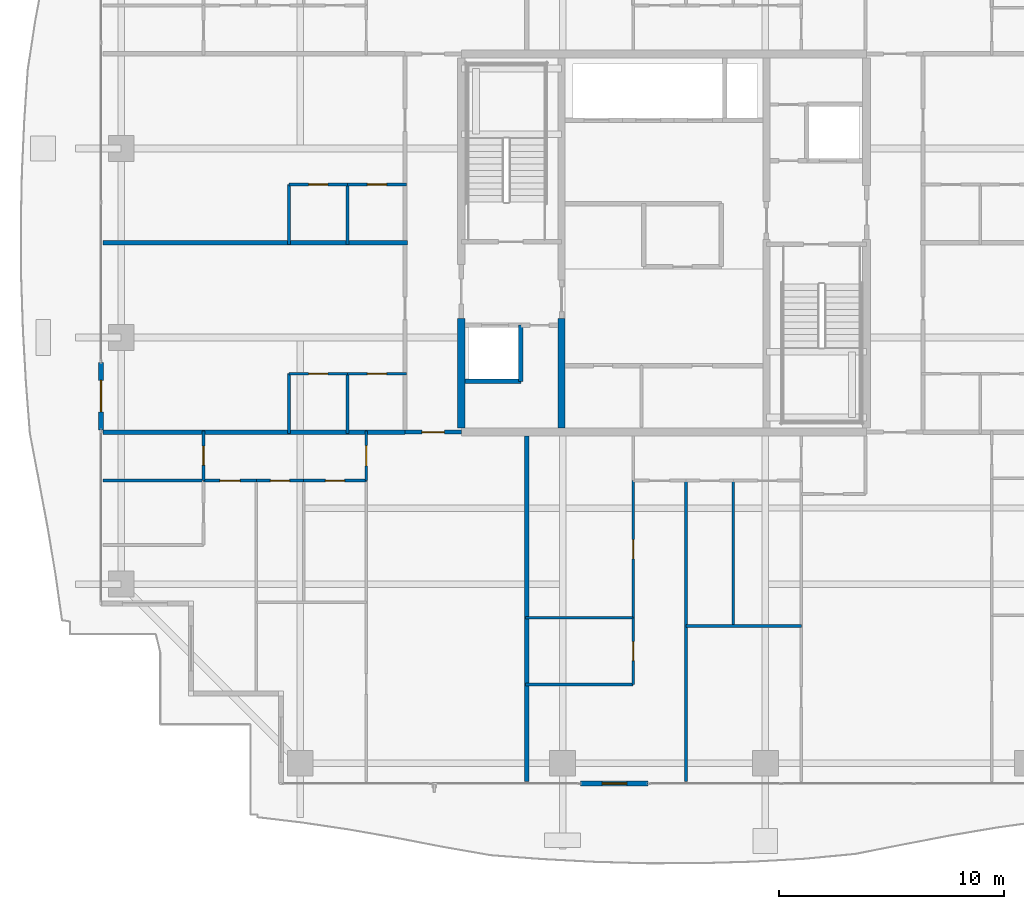
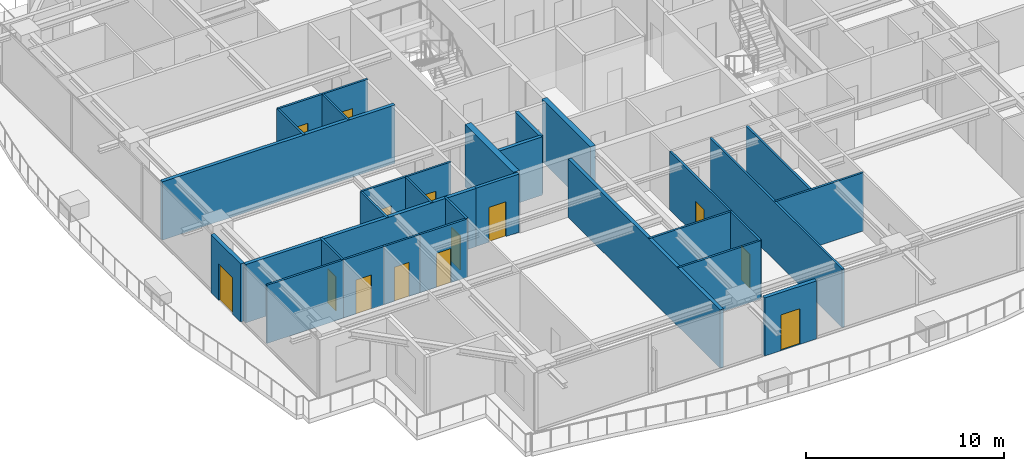
# One storey, part 24 of 38: 31 walls, 14 doors, 14 openings.
"""IFC4 building model written with IfcOpenShell, lengths in metres."""

from ifc_helpers import new_model, si_unit, direction, frame, frame_2d, origin, place, context, subcontext, project, spatial, rectangle, extrude, source, transform, mapped, material, layer, layer_set, type_object, element, fill, save


model = new_model("IFC4")

# Units and contexts
model_context = context("Model", 3, precision=1e-05, world=origin(), true_north=direction((0.0, 1.0)))
body_context = subcontext(model_context, "Body", "Model", "MODEL_VIEW")
ifc_project = project(units=[si_unit("LENGTHUNIT", "METRE"), si_unit("AREAUNIT", "SQUARE_METRE"), si_unit("VOLUMEUNIT", "CUBIC_METRE"), si_unit("PLANEANGLEUNIT", "RADIAN"), si_unit("MASSUNIT", "GRAM", prefix="KILO")], contexts=[model_context])

# Site, building, storey
site_placement = place(None, origin())
site = spatial("IfcSite", under=ifc_project, at=site_placement, CompositionType="ELEMENT")
building_placement = place(site_placement, origin())
building = spatial("IfcBuilding", under=site, at=building_placement, Name="Serunith Strait Residences", CompositionType="ELEMENT")
storey_placement = place(building_placement, frame((0.0, 0.0, 241.25)))
storey = spatial("IfcBuildingStorey", under=building, at=storey_placement, Name="L60", CompositionType="ELEMENT", Elevation=241.25)

# Wall, opening, door
ifc_material_1 = material(Name="Pale-Champagne Aluminium Insulated Panel", Category="aluminium")
ifc_layer_1 = layer(ifc_material_1, 0.219970703125, Name="Pale-Champagne Aluminium Insulated Panel")
ifc_layer_set_1 = layer_set([ifc_layer_1], Name="Pale-Champagne Aluminium Insulated Panel")
wall_type_1 = type_object("IfcWallType", Name="EW-ALUM-220", PredefinedType="ELEMENTEDWALL", material=ifc_layer_set_1)
wall_1_placement = place(storey_placement, frame((28.699951171875, 1.199951171875, 0.0), z_axis=(0.0, 0.0, 1.0), x_axis=(1.0, 0.0, 0.0)))
wall_1 = element("IfcWall", 1, at=wall_1_placement, inside=storey, type_object=wall_type_1, Name="L60 S Facade Pier Wall", PredefinedType="ELEMENTEDWALL", context=body_context, shape_type="SweptSolid", body=[
    extrude(rectangle(XDim=3.0, YDim=0.219970703125, at=frame_2d((1.5, 0.0))), origin(), (0.0, 0.0, 1.0), 3.574951171875),
])
opening_1_placement = place(wall_1_placement, frame((0.949951171875, 0.0, 0.0)))
opening_1 = element("IfcOpeningElement", 2, at=opening_1_placement, cuts=wall_1, Name="Opening ED-03", PredefinedType="OPENING", context=body_context, shape_type="SweptSolid", body=[
    extrude(rectangle(XDim=1.10009765625, YDim=2.199951171875, at=frame_2d((0.550048828125, 1.10009765625))), frame((0.0, 0.1201171875, 0.0), z_axis=(0.0, -1.0, 0.0), x_axis=(1.0, 0.0, 0.0)), (0.0, 0.0, 1.0), 0.239990234375),
])
ifc_material_2 = material(Name="Thermally-Broken Aluminium Glazed Balcony Door", Category="aluminium")
door_type_1 = type_object("IfcDoorType", Name="ED-BALC-1100", OperationType="NOTDEFINED", PredefinedType="DOOR", material=ifc_material_2)
shared_shape_1 = source(origin(), body_context, "Body", "SweptSolid", [
    extrude(rectangle(XDim=1.10009765625, YDim=2.199951171875, at=frame_2d((0.550048828125, 1.10009765625))), frame((0.0, 0.02490234375, 0.0), z_axis=(0.0, -1.0, 0.0), x_axis=(1.0, 0.0, 0.0)), (0.0, 0.0, 1.0), 0.050048828125),
])
door_1_placement = place(opening_1_placement, origin())
door_1 = element("IfcDoor", 3, at=door_1_placement, inside=storey, type_object=door_type_1, Name="L60 S Vertical-Forest Balcony Door", OperationType="SINGLE_SWING_LEFT", OverallHeight=2.199951171875, OverallWidth=1.10009765625, PredefinedType="DOOR", context=body_context, shape_type="MappedRepresentation", body=[
    mapped(shared_shape_1, transform((0.0, 0.0, 0.0), scale=1.0)),
])
fill(opening_1, door_1)

wall_2_placement = place(storey_placement, frame((7.39990234375, 19.89990234375, 0.0), z_axis=(0.0, 0.0, 1.0), x_axis=(0.0, -1.0, 0.0)))
wall_2 = element("IfcWall", 4, at=wall_2_placement, inside=storey, type_object=wall_type_1, Name="L60 W Facade Pier Wall", PredefinedType="ELEMENTEDWALL", context=body_context, shape_type="SweptSolid", body=[
    extrude(rectangle(XDim=3.0, YDim=0.219970703125, at=frame_2d((1.5, 0.0))), origin(), (0.0, 0.0, 1.0), 3.574951171875),
])
opening_2_placement = place(wall_2_placement, frame((0.800048828125, 0.0, 0.0)))
opening_2 = element("IfcOpeningElement", 5, at=opening_2_placement, cuts=wall_2, Name="Opening ED-04", PredefinedType="OPENING", context=body_context, shape_type="SweptSolid", body=[
    extrude(rectangle(XDim=1.39990234375, YDim=2.25, at=frame_2d((0.699951171875, 1.125))), frame((0.0, 0.1201171875, 0.0), z_axis=(0.0, -1.0, 0.0), x_axis=(1.0, 0.0, 0.0)), (0.0, 0.0, 1.0), 0.239990234375),
])
ifc_material_3 = material(Name="Thermally-Broken Aluminium Sliding Balcony Door", Category="aluminium")
door_type_2 = type_object("IfcDoorType", Name="ED-BALC-1400", OperationType="NOTDEFINED", PredefinedType="DOOR", material=ifc_material_3)
shared_shape_2 = source(origin(), body_context, "Body", "SweptSolid", [
    extrude(rectangle(XDim=1.39990234375, YDim=2.25, at=frame_2d((0.699951171875, 1.125))), frame((0.0, 0.02490234375, 0.0), z_axis=(0.0, -1.0, 0.0), x_axis=(1.0, 0.0, 0.0)), (0.0, 0.0, 1.0), 0.050048828125),
])
door_2_placement = place(opening_2_placement, origin())
door_2 = element("IfcDoor", 6, at=door_2_placement, inside=storey, type_object=door_type_2, Name="L60 W Vertical-Forest Balcony Door", OperationType="SLIDING_TO_LEFT", OverallHeight=2.25, OverallWidth=1.39990234375, PredefinedType="DOOR", context=body_context, shape_type="MappedRepresentation", body=[
    mapped(shared_shape_2, transform((0.0, 0.0, 0.0), scale=1.0)),
])
fill(opening_2, door_2)

ifc_material_4 = material(Name="Fire-rated acoustic gypsum partition")
ifc_layer_2 = layer(ifc_material_4, 0.179931640625, Name="Fire-rated acoustic gypsum partition")
ifc_layer_set_2 = layer_set([ifc_layer_2], Name="Fire-rated acoustic gypsum partition")
wall_type_2 = type_object("IfcWallType", Name="IW-CORR-180", PredefinedType="PARTITIONING", material=ifc_layer_set_2)
wall_3_placement = place(storey_placement, frame((20.902099609375, 16.800048828125, 0.0), z_axis=(0.0, 0.0, 1.0), x_axis=(1.0, 0.0, 0.0)))
wall_3 = element("IfcWall", 7, at=wall_3_placement, inside=storey, type_object=wall_type_2, Name="L60 Partition Wall 027", PredefinedType="PARTITIONING", context=body_context, shape_type="SweptSolid", body=[
    extrude(rectangle(XDim=2.495849609375, YDim=0.179931640625, at=frame_2d((1.248046875, 0.0))), origin(), (0.0, 0.0, 1.0), 3.590087890625),
])
opening_3_placement = place(wall_3_placement, frame((0.748046875, 0.0, 0.0)))
opening_3 = element("IfcOpeningElement", 8, at=opening_3_placement, cuts=wall_3, Name="Opening D-APT1000", PredefinedType="OPENING", context=body_context, shape_type="SweptSolid", body=[
    extrude(rectangle(XDim=1.0, YDim=2.14990234375, at=frame_2d((0.5, 1.074951171875))), frame((0.0, 0.10009765625, 0.0), z_axis=(0.0, -1.0, 0.0), x_axis=(1.0, 0.0, 0.0)), (0.0, 0.0, 1.0), 0.199951171875),
])
ifc_material_5 = material(Name="Solid timber engineered fire door", Category="wood")
door_type_3 = type_object("IfcDoorType", Name="ID-APT-1000", OperationType="NOTDEFINED", PredefinedType="DOOR", material=ifc_material_5)
shared_shape_3 = source(origin(), body_context, "Body", "SweptSolid", [
    extrude(rectangle(XDim=1.0, YDim=2.14990234375, at=frame_2d((0.5, 1.074951171875))), frame((0.0, 0.02490234375, 0.0), z_axis=(0.0, -1.0, 0.0), x_axis=(1.0, 0.0, 0.0)), (0.0, 0.0, 1.0), 0.050048828125),
])
door_3_placement = place(opening_3_placement, origin())
door_3 = element("IfcDoor", 9, at=door_3_placement, inside=storey, type_object=door_type_3, Name="L60 Unit 01 Entrance Door", OperationType="SINGLE_SWING_LEFT", OverallHeight=2.14990234375, OverallWidth=1.0, PredefinedType="DOOR", context=body_context, shape_type="MappedRepresentation", body=[
    mapped(shared_shape_3, transform((0.0, 0.0, 0.0), scale=1.0)),
])
fill(opening_3, door_3)

ifc_material_6 = material(Name="Lightweight steel-stud gypsum partition", Category="steel")
ifc_layer_3 = layer(ifc_material_6, 0.1201171875, Name="Lightweight steel-stud gypsum partition")
ifc_layer_set_3 = layer_set([ifc_layer_3], Name="Lightweight steel-stud gypsum partition")
wall_type_3 = type_object("IfcWallType", Name="IW-PART-120", PredefinedType="PARTITIONING", material=ifc_layer_set_3)
wall_4_placement = place(storey_placement, frame((19.179931640625, 14.64990234375, 0.0), z_axis=(0.0, 0.0, 1.0), x_axis=(0.0, 1.0, 0.0)))
wall_4 = element("IfcWall", 10, at=wall_4_placement, inside=storey, type_object=wall_type_3, Name="L60 Partition Wall 033", PredefinedType="PARTITIONING", context=body_context, shape_type="SweptSolid", body=[
    extrude(rectangle(XDim=2.210205078125, YDim=0.1201171875, at=frame_2d((1.10498046875, 0.0))), origin(), (0.0, 0.0, 1.0), 3.590087890625),
])
opening_4_placement = place(wall_4_placement, frame((0.655029296875, 0.0, 0.0)))
opening_4 = element("IfcOpeningElement", 11, at=opening_4_placement, cuts=wall_4, Name="Opening D-RM900", PredefinedType="OPENING", context=body_context, shape_type="SweptSolid", body=[
    extrude(rectangle(XDim=0.89990234375, YDim=2.10009765625, at=frame_2d((0.449951171875, 1.050048828125))), frame((0.0, 0.070068359375, 0.0), z_axis=(0.0, -1.0, 0.0), x_axis=(1.0, 0.0, 0.0)), (0.0, 0.0, 1.0), 0.14013671875),
])
ifc_material_7 = material(Name="Engineered timber flush bedroom door", Category="wood")
door_type_4 = type_object("IfcDoorType", Name="ID-ROOM-900", OperationType="NOTDEFINED", PredefinedType="DOOR", material=ifc_material_7)
shared_shape_4 = source(origin(), body_context, "Body", "SweptSolid", [
    extrude(rectangle(XDim=0.89990234375, YDim=2.10009765625, at=frame_2d((0.449951171875, 1.050048828125))), frame((0.0, 0.02490234375, 0.0), z_axis=(0.0, -1.0, 0.0), x_axis=(1.0, 0.0, 0.0)), (0.0, 0.0, 1.0), 0.050048828125),
])
door_4_placement = place(opening_4_placement, origin())
door_4 = element("IfcDoor", 12, at=door_4_placement, inside=storey, type_object=door_type_4, Name="L60 Hall W 6001 Door", OperationType="SINGLE_SWING_LEFT", OverallHeight=2.10009765625, OverallWidth=0.89990234375, PredefinedType="DOOR", context=body_context, shape_type="MappedRepresentation", body=[
    mapped(shared_shape_4, transform((0.0, 0.0, 0.0), scale=1.0)),
])
fill(opening_4, door_4)

wall_5_placement = place(storey_placement, frame((14.300048828125, 14.64990234375, 0.0), z_axis=(0.0, 0.0, 1.0), x_axis=(1.0, 0.0, 0.0)))
wall_5 = element("IfcWall", 13, at=wall_5_placement, inside=storey, type_object=wall_type_3, Name="L60 Partition Wall 039", PredefinedType="PARTITIONING", context=body_context, shape_type="SweptSolid", body=[
    extrude(rectangle(XDim=2.099853515625, YDim=0.1201171875, at=frame_2d((1.0498046875, 0.0))), origin(), (0.0, 0.0, 1.0), 3.590087890625),
])
opening_5_placement = place(wall_5_placement, frame((0.625, 0.0, 0.0)))
opening_5 = element("IfcOpeningElement", 14, at=opening_5_placement, cuts=wall_5, Name="Opening D-BTH850", PredefinedType="OPENING", context=body_context, shape_type="SweptSolid", body=[
    extrude(rectangle(XDim=0.85009765625, YDim=2.10009765625, at=frame_2d((0.425048828125, 1.050048828125))), frame((0.0, 0.070068359375, 0.0), z_axis=(0.0, -1.0, 0.0), x_axis=(1.0, 0.0, 0.0)), (0.0, 0.0, 1.0), 0.14013671875),
])
ifc_material_8 = material(Name="Moisture-resistant timber bathroom door", Category="wood")
door_type_5 = type_object("IfcDoorType", Name="ID-BATH-850", OperationType="NOTDEFINED", PredefinedType="DOOR", material=ifc_material_8)
shared_shape_5 = source(origin(), body_context, "Body", "SweptSolid", [
    extrude(rectangle(XDim=0.85009765625, YDim=2.10009765625, at=frame_2d((0.425048828125, 1.050048828125))), frame((0.0, 0.02490234375, 0.0), z_axis=(0.0, -1.0, 0.0), x_axis=(1.0, 0.0, 0.0)), (0.0, 0.0, 1.0), 0.050048828125),
])
door_5_placement = place(opening_5_placement, origin())
door_5 = element("IfcDoor", 15, at=door_5_placement, inside=storey, type_object=door_type_5, Name="L60 Bathroom 6001 Door", OperationType="SINGLE_SWING_LEFT", OverallHeight=2.10009765625, OverallWidth=0.85009765625, PredefinedType="DOOR", context=body_context, shape_type="MappedRepresentation", body=[
    mapped(shared_shape_5, transform((0.0, 0.0, 0.0), scale=1.0)),
])
fill(opening_5, door_5)

wall_6_placement = place(storey_placement, frame((16.402099609375, 14.64990234375, 0.0), z_axis=(0.0, 0.0, 1.0), x_axis=(1.0, 0.0, 0.0)))
wall_6 = element("IfcWall", 16, at=wall_6_placement, inside=storey, type_object=wall_type_3, Name="L60 Partition Wall 040", PredefinedType="PARTITIONING", context=body_context, shape_type="SweptSolid", body=[
    extrude(rectangle(XDim=2.77783203125, YDim=0.1201171875, at=frame_2d((1.388916015625, 0.0))), origin(), (0.0, 0.0, 1.0), 3.590087890625),
])
opening_6_placement = place(wall_6_placement, frame((0.964111328125, 0.0, 0.0)))
opening_6 = element("IfcOpeningElement", 17, at=opening_6_placement, cuts=wall_6, Name="Opening D-RM850", PredefinedType="OPENING", context=body_context, shape_type="SweptSolid", body=[
    extrude(rectangle(XDim=0.85009765625, YDim=2.10009765625, at=frame_2d((0.425048828125, 1.050048828125))), frame((0.0, 0.070068359375, 0.0), z_axis=(0.0, -1.0, 0.0), x_axis=(1.0, 0.0, 0.0)), (0.0, 0.0, 1.0), 0.14013671875),
])
ifc_material_9 = material(Name="Engineered timber flush study and kitchen door", Category="wood")
door_type_6 = type_object("IfcDoorType", Name="ID-ROOM-850", OperationType="NOTDEFINED", PredefinedType="DOOR", material=ifc_material_9)
door_6_placement = place(opening_6_placement, origin())
door_6 = element("IfcDoor", 18, at=door_6_placement, inside=storey, type_object=door_type_6, Name="L60 Kitchen 6001 Door", OperationType="SINGLE_SWING_RIGHT", OverallHeight=2.10009765625, OverallWidth=0.85009765625, PredefinedType="DOOR", context=body_context, shape_type="MappedRepresentation", body=[
    mapped(shared_shape_5, transform((0.0, 0.0, 0.0), scale=1.0)),
])
fill(opening_6, door_6)

wall_7_placement = place(storey_placement, frame((11.949951171875, 14.64990234375, 0.0), z_axis=(0.0, 0.0, 1.0), x_axis=(1.0, 0.0, 0.0)))
wall_7 = element("IfcWall", 19, at=wall_7_placement, inside=storey, type_object=wall_type_3, Name="L60 Partition Wall 041", PredefinedType="PARTITIONING", context=body_context, shape_type="SweptSolid", body=[
    extrude(rectangle(XDim=2.34814453125, YDim=0.1201171875, at=frame_2d((1.174072265625, 0.0))), origin(), (0.0, 0.0, 1.0), 3.590087890625),
])
opening_7_placement = place(wall_7_placement, frame((0.72412109375, 0.0, 0.0)))
opening_7 = element("IfcOpeningElement", 20, at=opening_7_placement, cuts=wall_7, Name="Opening D-RM900", PredefinedType="OPENING", context=body_context, shape_type="SweptSolid", body=[
    extrude(rectangle(XDim=0.89990234375, YDim=2.10009765625, at=frame_2d((0.449951171875, 1.050048828125))), frame((0.0, 0.070068359375, 0.0), z_axis=(0.0, -1.0, 0.0), x_axis=(1.0, 0.0, 0.0)), (0.0, 0.0, 1.0), 0.14013671875),
])
door_7_placement = place(opening_7_placement, origin())
door_7 = element("IfcDoor", 21, at=door_7_placement, inside=storey, type_object=door_type_4, Name="L60 Master Bedroom W 6001 Door", OperationType="SINGLE_SWING_LEFT", OverallHeight=2.10009765625, OverallWidth=0.89990234375, PredefinedType="DOOR", context=body_context, shape_type="MappedRepresentation", body=[
    mapped(shared_shape_4, transform((0.0, 0.0, 0.0), scale=1.0)),
])
fill(opening_7, door_7)

# Wall
wall_8_placement = place(storey_placement, frame((7.4951171875, 14.64990234375, 0.0), z_axis=(0.0, 0.0, 1.0), x_axis=(1.0, 0.0, 0.0)))
element("IfcWall", 22, at=wall_8_placement, inside=storey, type_object=wall_type_3, Name="L60 Partition Wall 043", PredefinedType="PARTITIONING", context=body_context, shape_type="SweptSolid", body=[
    extrude(rectangle(XDim=4.452880859375, YDim=0.1201171875, at=frame_2d((2.2265625, 0.0))), origin(), (0.0, 0.0, 1.0), 3.590087890625),
])

# Wall, opening, door
wall_9_placement = place(storey_placement, frame((11.949951171875, 14.652099609375, 0.0), z_axis=(0.0, 0.0, 1.0), x_axis=(0.0, 1.0, 0.0)))
wall_9 = element("IfcWall", 23, at=wall_9_placement, inside=storey, type_object=wall_type_3, Name="L60 Partition Wall 045", PredefinedType="PARTITIONING", context=body_context, shape_type="SweptSolid", body=[
    extrude(rectangle(XDim=2.2080078125, YDim=0.1201171875, at=frame_2d((1.10400390625, 0.0))), origin(), (0.0, 0.0, 1.0), 3.590087890625),
])
opening_8_placement = place(wall_9_placement, frame((0.678955078125, 0.0, 0.0)))
opening_8 = element("IfcOpeningElement", 24, at=opening_8_placement, cuts=wall_9, Name="Opening D-RM850", PredefinedType="OPENING", context=body_context, shape_type="SweptSolid", body=[
    extrude(rectangle(XDim=0.85009765625, YDim=2.10009765625, at=frame_2d((0.425048828125, 1.050048828125))), frame((0.0, 0.070068359375, 0.0), z_axis=(0.0, -1.0, 0.0), x_axis=(1.0, 0.0, 0.0)), (0.0, 0.0, 1.0), 0.14013671875),
])
door_8_placement = place(opening_8_placement, origin())
door_8 = element("IfcDoor", 25, at=door_8_placement, inside=storey, type_object=door_type_6, Name="L60 Wardrobe W 6001 Door", OperationType="SINGLE_SWING_LEFT", OverallHeight=2.10009765625, OverallWidth=0.85009765625, PredefinedType="DOOR", context=body_context, shape_type="MappedRepresentation", body=[
    mapped(shared_shape_5, transform((0.0, 0.0, 0.0), scale=1.0)),
])
fill(opening_8, door_8)

# Walls
wall_10_placement = place(storey_placement, frame((33.3798828125, 8.18896484375, 0.0), z_axis=(0.0, 0.0, 1.0), x_axis=(1.0, 0.0, 0.0)))
element("IfcWall", 26, at=wall_10_placement, inside=storey, type_object=wall_type_3, Name="L60 Partition Wall 051", PredefinedType="PARTITIONING", context=body_context, shape_type="SweptSolid", body=[
    extrude(rectangle(XDim=5.1201171875, YDim=0.1201171875, at=frame_2d((2.56005859375, 0.0))), origin(), (0.0, 0.0, 1.0), 3.590087890625),
])
wall_11_placement = place(storey_placement, frame((33.3798828125, 1.294921875, 0.0), z_axis=(0.0, 0.0, 1.0), x_axis=(0.0, 1.0, 0.0)))
element("IfcWall", 27, at=wall_11_placement, inside=storey, type_object=wall_type_3, Name="L60 Partition Wall 052", PredefinedType="PARTITIONING", context=body_context, shape_type="SweptSolid", body=[
    extrude(rectangle(XDim=13.35498046875, YDim=0.1201171875, at=frame_2d((6.677490234375, 0.0))), origin(), (0.0, 0.0, 1.0), 3.590087890625),
])
wall_12_placement = place(storey_placement, frame((35.47998046875, 8.18896484375, 0.0), z_axis=(0.0, 0.0, 1.0), x_axis=(0.0, 1.0, 0.0)))
element("IfcWall", 28, at=wall_12_placement, inside=storey, type_object=wall_type_3, Name="L60 Partition Wall 053", PredefinedType="PARTITIONING", context=body_context, shape_type="SweptSolid", body=[
    extrude(rectangle(XDim=6.4609375, YDim=0.1201171875, at=frame_2d((3.23046875, 0.0))), origin(), (0.0, 0.0, 1.0), 3.590087890625),
])
for number, where, z_axis, x_axis, name in (
    (29, (26.239990234375, 5.594970703125, 0.0), (0.0, 0.0, 1.0), (1.0, 0.0, 0.0), "L60 Partition Wall 057"),
    (30, (26.239990234375, 8.554931640625, 0.0), (0.0, 0.0, 1.0), (1.0, 0.0, 0.0), "L60 Partition Wall 058"),
):
    element("IfcWall", number, at=place(storey_placement, frame(where, z_axis=z_axis, x_axis=x_axis)), inside=storey, type_object=wall_type_3, Name=name, PredefinedType="PARTITIONING", context=body_context, shape_type="SweptSolid", body=[
        extrude(rectangle(XDim=4.7900390625, YDim=0.1201171875, at=frame_2d((2.39501953125, 0.0))), origin(), (0.0, 0.0, 1.0), 3.590087890625),
    ])

# Wall, opening, door
wall_13_placement = place(storey_placement, frame((31.030029296875, 5.594970703125, 0.0), z_axis=(0.0, 0.0, 1.0), x_axis=(0.0, 1.0, 0.0)))
wall_13 = element("IfcWall", 31, at=wall_13_placement, inside=storey, type_object=wall_type_3, Name="L60 Partition Wall 059", PredefinedType="PARTITIONING", context=body_context, shape_type="SweptSolid", body=[
    extrude(rectangle(XDim=2.9599609375, YDim=0.1201171875, at=frame_2d((1.47998046875, 0.0))), origin(), (0.0, 0.0, 1.0), 3.590087890625),
])
opening_9_placement = place(wall_13_placement, frame((1.054931640625, 0.0, 0.0)))
opening_9 = element("IfcOpeningElement", 32, at=opening_9_placement, cuts=wall_13, Name="Opening D-BTH850", PredefinedType="OPENING", context=body_context, shape_type="SweptSolid", body=[
    extrude(rectangle(XDim=0.85009765625, YDim=2.10009765625, at=frame_2d((0.425048828125, 1.050048828125))), frame((0.0, 0.070068359375, 0.0), z_axis=(0.0, -1.0, 0.0), x_axis=(1.0, 0.0, 0.0)), (0.0, 0.0, 1.0), 0.14013671875),
])
door_9_placement = place(opening_9_placement, origin())
door_9 = element("IfcDoor", 33, at=door_9_placement, inside=storey, type_object=door_type_5, Name="L60 En-suite Bathroom W 6002 Door", OperationType="SINGLE_SWING_RIGHT", OverallHeight=2.10009765625, OverallWidth=0.85009765625, PredefinedType="DOOR", context=body_context, shape_type="MappedRepresentation", body=[
    mapped(shared_shape_5, transform((0.0, 0.0, 0.0), scale=1.0)),
])
fill(opening_9, door_9)

wall_14_placement = place(storey_placement, frame((31.030029296875, 8.556884765625, 0.0), z_axis=(0.0, 0.0, 1.0), x_axis=(0.0, 1.0, 0.0)))
wall_14 = element("IfcWall", 34, at=wall_14_placement, inside=storey, type_object=wall_type_3, Name="L60 Partition Wall 060", PredefinedType="PARTITIONING", context=body_context, shape_type="SweptSolid", body=[
    extrude(rectangle(XDim=6.093017578125, YDim=0.1201171875, at=frame_2d((3.04638671875, 0.0))), origin(), (0.0, 0.0, 1.0), 3.590087890625),
])
opening_10_placement = place(wall_14_placement, frame((2.6220703125, 0.0, 0.0)))
opening_10 = element("IfcOpeningElement", 35, at=opening_10_placement, cuts=wall_14, Name="Opening D-RM850", PredefinedType="OPENING", context=body_context, shape_type="SweptSolid", body=[
    extrude(rectangle(XDim=0.85009765625, YDim=2.10009765625, at=frame_2d((0.425048828125, 1.050048828125))), frame((0.0, 0.070068359375, 0.0), z_axis=(0.0, -1.0, 0.0), x_axis=(1.0, 0.0, 0.0)), (0.0, 0.0, 1.0), 0.14013671875),
])
door_10_placement = place(opening_10_placement, origin())
door_10 = element("IfcDoor", 36, at=door_10_placement, inside=storey, type_object=door_type_6, Name="L60 Wardrobe W 6002 Door", OperationType="SINGLE_SWING_LEFT", OverallHeight=2.10009765625, OverallWidth=0.85009765625, PredefinedType="DOOR", context=body_context, shape_type="MappedRepresentation", body=[
    mapped(shared_shape_5, transform((0.0, 0.0, 0.0), scale=1.0)),
])
fill(opening_10, door_10)

wall_15_placement = place(storey_placement, frame((15.75, 19.39990234375, 0.0), z_axis=(0.0, 0.0, 1.0), x_axis=(1.0, 0.0, 0.0)))
wall_15 = element("IfcWall", 37, at=wall_15_placement, inside=storey, type_object=wall_type_3, Name="L60 Partition Wall 103", PredefinedType="PARTITIONING", context=body_context, shape_type="SweptSolid", body=[
    extrude(rectangle(XDim=2.60009765625, YDim=0.1201171875, at=frame_2d((1.300048828125, 0.0))), origin(), (0.0, 0.0, 1.0), 3.590087890625),
])
opening_11_placement = place(wall_15_placement, frame((0.875, 0.0, 0.0)))
opening_11 = element("IfcOpeningElement", 38, at=opening_11_placement, cuts=wall_15, Name="Opening D-RM850", PredefinedType="OPENING", context=body_context, shape_type="SweptSolid", body=[
    extrude(rectangle(XDim=0.85009765625, YDim=2.10009765625, at=frame_2d((0.425048828125, 1.050048828125))), frame((0.0, 0.070068359375, 0.0), z_axis=(0.0, -1.0, 0.0), x_axis=(1.0, 0.0, 0.0)), (0.0, 0.0, 1.0), 0.14013671875),
])
door_11_placement = place(opening_11_placement, origin())
door_11 = element("IfcDoor", 39, at=door_11_placement, inside=storey, type_object=door_type_6, Name="L60 Kitchen 6005 Door", OperationType="SINGLE_SWING_LEFT", OverallHeight=2.10009765625, OverallWidth=0.85009765625, PredefinedType="DOOR", context=body_context, shape_type="MappedRepresentation", body=[
    mapped(shared_shape_5, transform((0.0, 0.0, 0.0), scale=1.0)),
])
fill(opening_11, door_11)

wall_16_placement = place(storey_placement, frame((18.35205078125, 19.39990234375, 0.0), z_axis=(0.0, 0.0, 1.0), x_axis=(1.0, 0.0, 0.0)))
wall_16 = element("IfcWall", 40, at=wall_16_placement, inside=storey, type_object=wall_type_3, Name="L60 Partition Wall 104", PredefinedType="PARTITIONING", context=body_context, shape_type="SweptSolid", body=[
    extrude(rectangle(XDim=2.60791015625, YDim=0.1201171875, at=frame_2d((1.303955078125, 0.0))), origin(), (0.0, 0.0, 1.0), 3.590087890625),
])
opening_12_placement = place(wall_16_placement, frame((0.87890625, 0.0, 0.0)))
opening_12 = element("IfcOpeningElement", 41, at=opening_12_placement, cuts=wall_16, Name="Opening D-BTH850", PredefinedType="OPENING", context=body_context, shape_type="SweptSolid", body=[
    extrude(rectangle(XDim=0.85009765625, YDim=2.10009765625, at=frame_2d((0.425048828125, 1.050048828125))), frame((0.0, 0.070068359375, 0.0), z_axis=(0.0, -1.0, 0.0), x_axis=(1.0, 0.0, 0.0)), (0.0, 0.0, 1.0), 0.14013671875),
])
door_12_placement = place(opening_12_placement, origin())
door_12 = element("IfcDoor", 42, at=door_12_placement, inside=storey, type_object=door_type_5, Name="L60 Bathroom 6005 Door", OperationType="SINGLE_SWING_RIGHT", OverallHeight=2.10009765625, OverallWidth=0.85009765625, PredefinedType="DOOR", context=body_context, shape_type="MappedRepresentation", body=[
    mapped(shared_shape_5, transform((0.0, 0.0, 0.0), scale=1.0)),
])
fill(opening_12, door_12)

# Walls
for number, where, z_axis, x_axis, name in (
    (43, (18.35009765625, 16.739990234375, 0.0), (0.0, 0.0, 1.0), (0.0, 1.0, 0.0), "L60 Partition Wall 105"),
    (44, (15.75, 16.739990234375, 0.0), (0.0, 0.0, 1.0), (0.0, 1.0, 0.0), "L60 Partition Wall 106"),
):
    element("IfcWall", number, at=place(storey_placement, frame(where, z_axis=z_axis, x_axis=x_axis)), inside=storey, type_object=wall_type_3, Name=name, PredefinedType="PARTITIONING", context=body_context, shape_type="SweptSolid", body=[
        extrude(rectangle(XDim=2.659912109375, YDim=0.1201171875, at=frame_2d((1.330078125, 0.0))), origin(), (0.0, 0.0, 1.0), 3.590087890625),
    ])

# Wall, opening, door
wall_17_placement = place(storey_placement, frame((15.75, 27.800048828125, 0.0), z_axis=(0.0, 0.0, 1.0), x_axis=(1.0, 0.0, 0.0)))
wall_17 = element("IfcWall", 45, at=wall_17_placement, inside=storey, type_object=wall_type_3, Name="L60 Partition Wall 107", PredefinedType="PARTITIONING", context=body_context, shape_type="SweptSolid", body=[
    extrude(rectangle(XDim=2.60009765625, YDim=0.1201171875, at=frame_2d((1.300048828125, 0.0))), origin(), (0.0, 0.0, 1.0), 3.590087890625),
])
opening_13_placement = place(wall_17_placement, frame((0.875, 0.0, 0.0)))
opening_13 = element("IfcOpeningElement", 46, at=opening_13_placement, cuts=wall_17, Name="Opening D-RM850", PredefinedType="OPENING", context=body_context, shape_type="SweptSolid", body=[
    extrude(rectangle(XDim=0.85009765625, YDim=2.10009765625, at=frame_2d((0.425048828125, 1.050048828125))), frame((0.0, 0.070068359375, 0.0), z_axis=(0.0, -1.0, 0.0), x_axis=(1.0, 0.0, 0.0)), (0.0, 0.0, 1.0), 0.14013671875),
])
door_13_placement = place(opening_13_placement, origin())
door_13 = element("IfcDoor", 47, at=door_13_placement, inside=storey, type_object=door_type_6, Name="L60 Kitchen 6006 Door", OperationType="SINGLE_SWING_LEFT", OverallHeight=2.10009765625, OverallWidth=0.85009765625, PredefinedType="DOOR", context=body_context, shape_type="MappedRepresentation", body=[
    mapped(shared_shape_5, transform((0.0, 0.0, 0.0), scale=1.0)),
])
fill(opening_13, door_13)

wall_18_placement = place(storey_placement, frame((18.35205078125, 27.800048828125, 0.0), z_axis=(0.0, 0.0, 1.0), x_axis=(1.0, 0.0, 0.0)))
wall_18 = element("IfcWall", 48, at=wall_18_placement, inside=storey, type_object=wall_type_3, Name="L60 Partition Wall 108", PredefinedType="PARTITIONING", context=body_context, shape_type="SweptSolid", body=[
    extrude(rectangle(XDim=2.60791015625, YDim=0.1201171875, at=frame_2d((1.303955078125, 0.0))), origin(), (0.0, 0.0, 1.0), 3.590087890625),
])
opening_14_placement = place(wall_18_placement, frame((0.87890625, 0.0, 0.0)))
opening_14 = element("IfcOpeningElement", 49, at=opening_14_placement, cuts=wall_18, Name="Opening D-BTH850", PredefinedType="OPENING", context=body_context, shape_type="SweptSolid", body=[
    extrude(rectangle(XDim=0.85009765625, YDim=2.10009765625, at=frame_2d((0.425048828125, 1.050048828125))), frame((0.0, 0.070068359375, 0.0), z_axis=(0.0, -1.0, 0.0), x_axis=(1.0, 0.0, 0.0)), (0.0, 0.0, 1.0), 0.14013671875),
])
door_14_placement = place(opening_14_placement, origin())
door_14 = element("IfcDoor", 50, at=door_14_placement, inside=storey, type_object=door_type_5, Name="L60 Bathroom 6006 Door", OperationType="SINGLE_SWING_RIGHT", OverallHeight=2.10009765625, OverallWidth=0.85009765625, PredefinedType="DOOR", context=body_context, shape_type="MappedRepresentation", body=[
    mapped(shared_shape_5, transform((0.0, 0.0, 0.0), scale=1.0)),
])
fill(opening_14, door_14)

# Walls
for number, where, z_axis, x_axis, name in (
    (51, (18.35009765625, 25.139892578125, 0.0), (0.0, 0.0, 1.0), (0.0, 1.0, 0.0), "L60 Partition Wall 109"),
    (52, (15.75, 25.139892578125, 0.0), (0.0, 0.0, 1.0), (0.0, 1.0, 0.0), "L60 Partition Wall 110"),
):
    element("IfcWall", number, at=place(storey_placement, frame(where, z_axis=z_axis, x_axis=x_axis)), inside=storey, type_object=wall_type_3, Name=name, PredefinedType="PARTITIONING", context=body_context, shape_type="SweptSolid", body=[
        extrude(rectangle(XDim=2.66015625, YDim=0.1201171875, at=frame_2d((1.330078125, 0.0))), origin(), (0.0, 0.0, 1.0), 3.590087890625),
    ])
ifc_material_10 = material(Name="Twin-stud acoustic gypsum board partition")
ifc_layer_4 = layer(ifc_material_10, 0.199951171875, Name="Twin-stud acoustic gypsum board partition")
ifc_layer_set_4 = layer_set([ifc_layer_4], Name="Twin-stud acoustic gypsum board partition")
wall_type_4 = type_object("IfcWallType", Name="IW-PARTY-200", PredefinedType="PARTITIONING", material=ifc_layer_set_4)
wall_19_placement = place(storey_placement, frame((26.300048828125, 1.281982421875, 0.0), z_axis=(0.0, 0.0, 1.0), x_axis=(0.0, 1.0, 0.0)))
element("IfcWall", 53, at=wall_19_placement, inside=storey, type_object=wall_type_4, Name="L60 Partition Wall 019", PredefinedType="PARTITIONING", context=body_context, shape_type="SweptSolid", body=[
    extrude(rectangle(XDim=15.343017578125, YDim=0.199951171875, at=frame_2d((7.67138671875, 0.0))), origin(), (0.0, 0.0, 1.0), 3.590087890625),
])
wall_20_placement = place(storey_placement, frame((7.48193359375, 25.199951171875, 0.0), z_axis=(0.0, 0.0, 1.0), x_axis=(1.0, 0.0, 0.0)))
element("IfcWall", 54, at=wall_20_placement, inside=storey, type_object=wall_type_4, Name="L60 Partition Wall 021", PredefinedType="PARTITIONING", context=body_context, shape_type="SweptSolid", body=[
    extrude(rectangle(XDim=13.5380859375, YDim=0.199951171875, at=frame_2d((6.76904296875, 0.0))), origin(), (0.0, 0.0, 1.0), 3.590087890625),
])
wall_21_placement = place(storey_placement, frame((7.48193359375, 16.800048828125, 0.0), z_axis=(0.0, 0.0, 1.0), x_axis=(1.0, 0.0, 0.0)))
element("IfcWall", 55, at=wall_21_placement, inside=storey, type_object=wall_type_4, Name="L60 Partition Wall 023", PredefinedType="PARTITIONING", context=body_context, shape_type="SweptSolid", body=[
    extrude(rectangle(XDim=13.41796875, YDim=0.199951171875, at=frame_2d((6.708984375, 0.0))), origin(), (0.0, 0.0, 1.0), 3.590087890625),
])
ifc_material_11 = material(Name="Autoclaved aerated concrete blockwork", Category="masonry")
ifc_layer_5 = layer(ifc_material_11, 0.199951171875, Name="Autoclaved aerated concrete blockwork")
ifc_layer_set_5 = layer_set([ifc_layer_5], Name="Autoclaved aerated concrete blockwork")
wall_type_5 = type_object("IfcWallType", Name="IW-SHAFT-200", PredefinedType="STANDARD", material=ifc_layer_set_5)
wall_22_placement = place(storey_placement, frame((26.050048828125, 19.050048828125, 0.0), z_axis=(0.0, 0.0, 1.0), x_axis=(0.0, 1.0, 0.0)))
element("IfcWall", 56, at=wall_22_placement, inside=storey, type_object=wall_type_5, Name="L60 Partition Wall 001", PredefinedType="STANDARD", context=body_context, shape_type="SweptSolid", body=[
    extrude(rectangle(XDim=2.5, YDim=0.199951171875, at=frame_2d((1.25, 0.0))), origin(), (0.0, 0.0, 1.0), 3.590087890625),
])
wall_23_placement = place(storey_placement, frame((23.574951171875, 19.050048828125, 0.0), z_axis=(0.0, 0.0, 1.0), x_axis=(1.0, 0.0, 0.0)))
element("IfcWall", 57, at=wall_23_placement, inside=storey, type_object=wall_type_5, Name="L60 Partition Wall 002", PredefinedType="STANDARD", context=body_context, shape_type="SweptSolid", body=[
    extrude(rectangle(XDim=2.47509765625, YDim=0.199951171875, at=frame_2d((1.237548828125, 0.0))), origin(), (0.0, 0.0, 1.0), 3.590087890625),
])
ifc_material_12 = material(Name="Concrete C60/75", Category="concrete")
ifc_layer_6 = layer(ifc_material_12, 0.300048828125, Name="Concrete C60/75")
ifc_layer_set_6 = layer_set([ifc_layer_6], Name="Concrete C60/75")
wall_type_6 = type_object("IfcWallType", Name="SW-300-C60", PredefinedType="SHEAR", material=ifc_layer_set_6)
wall_24_placement = place(storey_placement, frame((27.85009765625, 16.97509765625, -0.260009765625), z_axis=(0.0, 0.0, 1.0), x_axis=(0.0, 1.0, 0.0)))
element("IfcWall", 58, at=wall_24_placement, inside=storey, type_object=wall_type_6, Name="L60 Core Internal West Web South Pier", PredefinedType="SHEAR", context=body_context, shape_type="SweptSolid", body=[
    extrude(rectangle(XDim=4.875, YDim=0.300048828125, at=frame_2d((2.4375, 0.0))), origin(), (0.0, 0.0, 1.0), 3.847900390625),
])
ifc_layer_7 = layer(ifc_material_12, 0.35009765625, Name="Concrete C60/75")
ifc_layer_set_7 = layer_set([ifc_layer_7], Name="Concrete C60/75")
wall_type_7 = type_object("IfcWallType", Name="SW-350-C60", PredefinedType="SHEAR", material=ifc_layer_set_7)
wall_25_placement = place(storey_placement, frame((23.39990234375, 16.97509765625, -0.260009765625), z_axis=(0.0, 0.0, 1.0), x_axis=(0.0, 1.0, 0.0)))
element("IfcWall", 59, at=wall_25_placement, inside=storey, type_object=wall_type_7, Name="L60 Core West Shear Wall South Pier", PredefinedType="SHEAR", context=body_context, shape_type="SweptSolid", body=[
    extrude(rectangle(XDim=4.875, YDim=0.35009765625, at=frame_2d((2.4375, 0.0))), origin(), (0.0, 0.0, 1.0), 3.847900390625),
])

save(model, "model.ifc")
